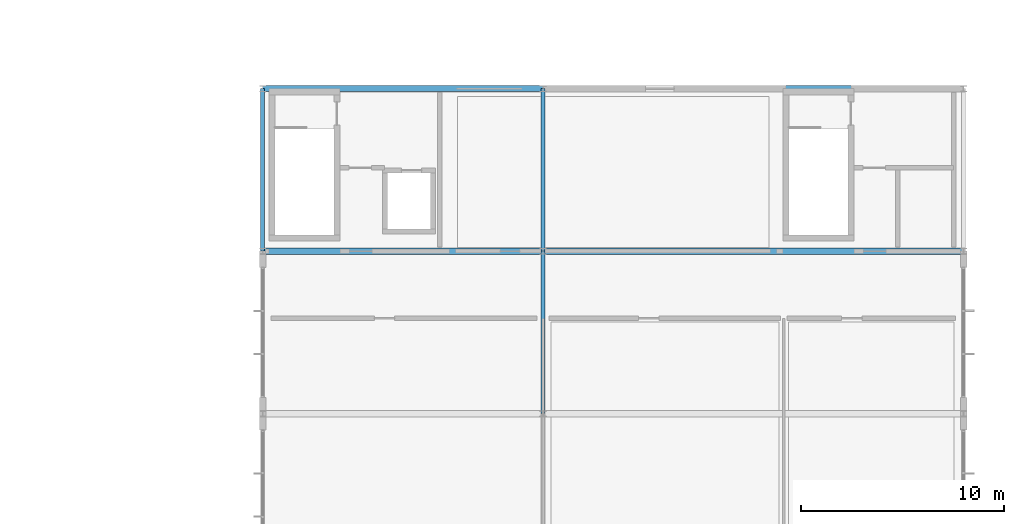
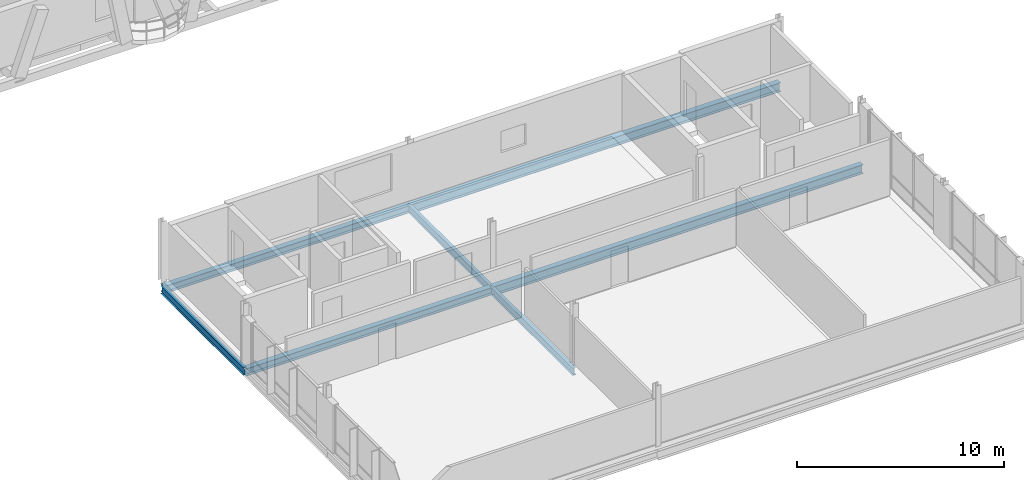
# One storey, part 120 of 189: 7 beams.
"""IFC4 building model written with IfcOpenShell, lengths in metres."""

from ifc_helpers import new_model, si_unit, direction, frame, origin, origin_2d, place, context, subcontext, project, spatial, i_section, extrude, material, material_profile, profile_set, type_object, element, save


model = new_model("IFC4")

# Units and contexts
model_context = context("Model", 3, precision=1e-05, world=origin(), true_north=direction((0.0, 1.0)))
body_context = subcontext(model_context, "Body", "Model", "MODEL_VIEW")
ifc_project = project(units=[si_unit("LENGTHUNIT", "METRE"), si_unit("AREAUNIT", "SQUARE_METRE"), si_unit("VOLUMEUNIT", "CUBIC_METRE"), si_unit("PLANEANGLEUNIT", "RADIAN"), si_unit("MASSUNIT", "GRAM", prefix="KILO")], contexts=[model_context])

# Site, building, storey
site_placement = place(None, origin())
site = spatial("IfcSite", under=ifc_project, at=site_placement, CompositionType="ELEMENT")
building_placement = place(site_placement, origin())
building = spatial("IfcBuilding", under=site, at=building_placement, Name="Zavelmont Quarter", CompositionType="ELEMENT")
storey_placement = place(building_placement, frame((0.0, 0.0, 4.39990234375)))
storey = spatial("IfcBuildingStorey", under=building, at=storey_placement, Name="L01", CompositionType="ELEMENT", Elevation=4.39990234375)

# Beams
ifc_material = material(Name="Steel S355", Category="steel")
ifc_material_profile_1 = material_profile(ifc_material, i_section(OverallWidth=0.300048828125, OverallDepth=0.43994140625, WebThickness=0.011474609375, FlangeThickness=0.02099609375, at=origin_2d()), Name="HEA 450")
ifc_profile_set_1 = profile_set([ifc_material_profile_1], Name="Steel S355")
beam_type_1 = type_object("IfcBeamType", Name="BM10", PredefinedType="BEAM", material=ifc_profile_set_1)
for number, where, z_axis, x_axis, name in (
    (1, (133.5, 70.0, -0.5), (1.0, 0.0, 0.0), (0.0, 1.0, 0.0), "L01 beam BM10 20/L to 22/L"),
    (2, (133.5, 78.0, -0.5), (1.0, 0.0, 0.0), (0.0, 1.0, 0.0), "L01 beam BM10 20/M to 22/M"),
):
    element("IfcBeam", number, at=place(storey_placement, frame(where, z_axis=z_axis, x_axis=x_axis)), inside=storey, type_object=beam_type_1, Name=name, PredefinedType="BEAM", context=body_context, shape_type="SweptSolid", body=[
        extrude(i_section(OverallWidth=0.300048828125, OverallDepth=0.43994140625, WebThickness=0.011474609375, FlangeThickness=0.02099609375, at=origin_2d()), origin(), (0.0, 0.0, 1.0), 13.800048828125),
    ])
ifc_material_profile_2 = material_profile(ifc_material, i_section(OverallWidth=0.300048828125, OverallDepth=0.5400390625, WebThickness=0.012451171875, FlangeThickness=0.02392578125, at=origin_2d()), Name="HEA 550")
ifc_profile_set_2 = profile_set([ifc_material_profile_2], Name="Steel S355")
beam_type_2 = type_object("IfcBeamType", Name="BM11", PredefinedType="BEAM", material=ifc_profile_set_2)
for number, where, z_axis, x_axis, name in (
    (3, (147.300048828125, 70.0, -0.5498046875), (1.0, 0.0, 0.0), (0.0, 1.0, 0.0), "L01 beam BM11 22/L to 25/L"),
    (4, (147.300048828125, 78.0, -0.5498046875), (1.0, 0.0, 0.0), (0.0, 1.0, 0.0), "L01 beam BM11 22/M to 25/M"),
):
    element("IfcBeam", number, at=place(storey_placement, frame(where, z_axis=z_axis, x_axis=x_axis)), inside=storey, type_object=beam_type_2, Name=name, PredefinedType="BEAM", context=body_context, shape_type="SweptSolid", body=[
        extrude(i_section(OverallWidth=0.300048828125, OverallDepth=0.5400390625, WebThickness=0.012451171875, FlangeThickness=0.02392578125, at=origin_2d()), origin(), (0.0, 0.0, 1.0), 20.699951171875),
    ])
ifc_material_profile_3 = material_profile(ifc_material, i_section(OverallWidth=0.18994140625, OverallDepth=0.449951171875, WebThickness=0.009521484375, FlangeThickness=0.0146484375, at=origin_2d()), Name="IPE 450")
ifc_profile_set_3 = profile_set([ifc_material_profile_3], Name="Steel S355")
beam_type_3 = type_object("IfcBeamType", Name="BM12", PredefinedType="BEAM", material=ifc_profile_set_3)
for number, where, z_axis, x_axis, name in (
    (5, (133.5, 70.0, -0.5048828125), (0.0, 1.0, 0.0), (-1.0, 0.0, 0.0), "L01 beam BM12 20/L to 20/M"),
    (6, (147.300048828125, 62.0, -0.5048828125), (0.0, 1.0, 0.0), (-1.0, 0.0, 0.0), "L01 beam BM12 22/K to 22/L"),
    (7, (147.300048828125, 70.0, -0.5048828125), (0.0, 1.0, 0.0), (-1.0, 0.0, 0.0), "L01 beam BM12 22/L to 22/M"),
):
    element("IfcBeam", number, at=place(storey_placement, frame(where, z_axis=z_axis, x_axis=x_axis)), inside=storey, type_object=beam_type_3, Name=name, PredefinedType="BEAM", context=body_context, shape_type="SweptSolid", body=[
        extrude(i_section(OverallWidth=0.18994140625, OverallDepth=0.449951171875, WebThickness=0.009521484375, FlangeThickness=0.0146484375, at=origin_2d()), origin(), (0.0, 0.0, 1.0), 8.0),
    ])

save(model, "model.ifc")
